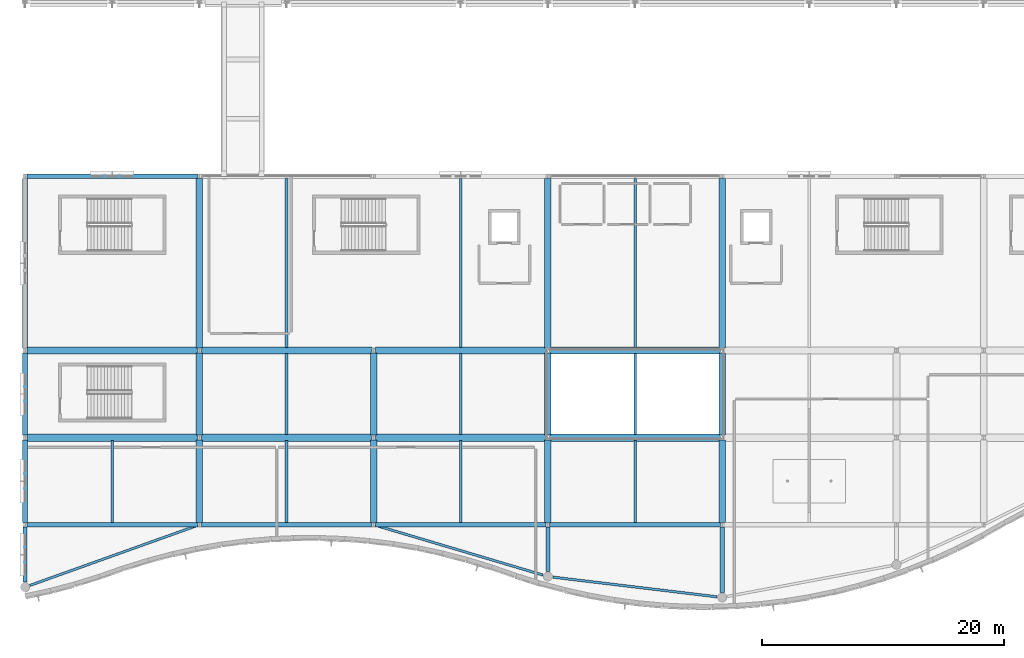
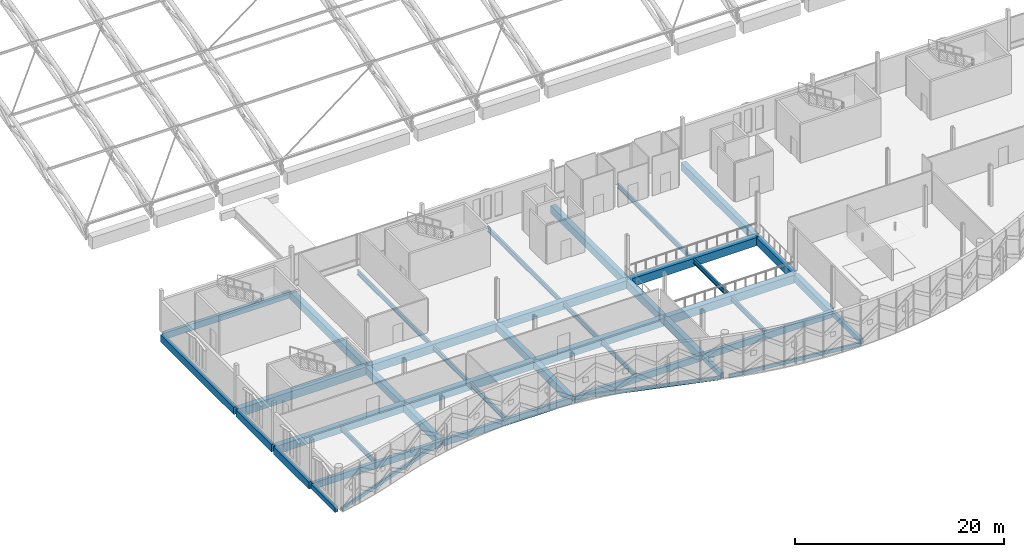
# One storey, part 22 of 193: 43 beams.
"""IFC4 building model written with IfcOpenShell, lengths in metres."""

import ifcopenshell
import ifcopenshell.guid

model = None  # the IFC model being written
_history = None  # IfcOwnerHistory: only IFC2X3 demands one
_inside = {}  # id of a spatial element -> (the spatial element, [elements in it])
_under = {}  # id of a project, library or spatial element -> (it, [spatial elements below it])
_declared = {}  # id of a project -> (the project, [libraries it declares])
_typed = {}  # id of a type object -> (the type object, [elements of that type])
_made_of = {}  # id of a material, layer set ... -> (it, [elements and type objects made of it])


def new_model(schema):
    """Start an empty IFC model of exactly this schema.

    Asked for "IFC4X3", IfcOpenShell would pick the latest addendum, in which some entities
    have other attributes; the version numbers below select the first issue.
    IFC2X3 requires an IfcOwnerHistory on every rooted entity: one is made here for all.
    """
    global model, _history
    if schema == "IFC4X3":
        model = ifcopenshell.file(schema_version=(4, 3, 0, 0))
    else:
        model = ifcopenshell.file(schema=schema)
    _inside.clear()
    _under.clear()
    _declared.clear()
    _typed.clear()
    _made_of.clear()
    _history = None
    if model.schema == "IFC2X3":
        org = make("IfcOrganization", Name="unknown")
        user = make(
            "IfcPersonAndOrganization",
            ThePerson=make("IfcPerson", FamilyName="unknown"),
            TheOrganization=org,
        )
        app = make(
            "IfcApplication",
            ApplicationDeveloper=org,
            Version="unknown",
            ApplicationFullName="unknown",
            ApplicationIdentifier="unknown",
        )
        _history = make(
            "IfcOwnerHistory",
            OwningUser=user,
            OwningApplication=app,
            ChangeAction="ADDED",
            CreationDate=0,
        )
    return model


def make(cls, **values):
    """One entity of the class cls with the attributes given. An attribute that is None is left unset."""
    return model.create_entity(
        cls, **{name: value for name, value in values.items() if value is not None}
    )


def rooted(cls, **values):
    """An entity with a GlobalId (a new one), such as an element, a storey or a relation."""
    return make(cls, GlobalId=ifcopenshell.guid.new(), OwnerHistory=_history, **values)


def si_unit(unit_type, name, prefix=None):
    """IfcSIUnit, for example si_unit("LENGTHUNIT", "METRE", prefix="MILLI")."""
    return make("IfcSIUnit", UnitType=unit_type, Prefix=prefix, Name=name)


def assignment(units):
    """IfcUnitAssignment: the units of a project."""
    return None if units is None else make("IfcUnitAssignment", Units=units)


def point(xyz):
    """IfcCartesianPoint."""
    return None if xyz is None else make("IfcCartesianPoint", Coordinates=xyz)


def direction(xyz):
    """IfcDirection."""
    return None if xyz is None else make("IfcDirection", DirectionRatios=xyz)


def frame(location, z_axis=None, x_axis=None):
    """IfcAxis2Placement3D, a coordinate frame: its origin and axes. An axis left out is left unset."""
    return make(
        "IfcAxis2Placement3D",
        Location=point(location),
        Axis=direction(z_axis),
        RefDirection=direction(x_axis),
    )


def frame_2d(location, x_axis=None):
    """IfcAxis2Placement2D, a coordinate frame in the plane: its origin and x axis."""
    return make(
        "IfcAxis2Placement2D", Location=point(location), RefDirection=direction(x_axis)
    )


def origin():
    """The frame at (0, 0, 0) with its axes left unset."""
    return frame((0.0, 0.0, 0.0))


def origin_2d():
    """The frame at (0, 0) in the plane with its x axis left unset."""
    return frame_2d((0.0, 0.0))


def place(relative_to, where):
    """IfcLocalPlacement: puts the frame where relative to a parent placement (None: the world)."""
    return make(
        "IfcLocalPlacement", PlacementRelTo=relative_to, RelativePlacement=where
    )


def context(
    kind, dimensions, precision=None, world=None, true_north=None, identifier=None
):
    """IfcGeometricRepresentationContext, for example the 3D "Model" context."""
    return make(
        "IfcGeometricRepresentationContext",
        ContextIdentifier=identifier,
        ContextType=kind,
        CoordinateSpaceDimension=dimensions,
        Precision=precision,
        WorldCoordinateSystem=world,
        TrueNorth=true_north,
    )


def subcontext(parent, identifier, kind, view, scale=None):
    """IfcGeometricRepresentationSubContext, for example "Body" below "Model"."""
    return make(
        "IfcGeometricRepresentationSubContext",
        ContextIdentifier=identifier,
        ContextType=kind,
        ParentContext=parent,
        TargetScale=scale,
        TargetView=view,
    )


def project(units=None, contexts=None):
    """IfcProject with its units and contexts."""
    return rooted(
        "IfcProject",
        Name="project",
        RepresentationContexts=contexts,
        UnitsInContext=assignment(units),
    )


def spatial(cls, under=None, at=None, **own):
    """A site, building, storey or space (cls), placed at a placement, below another one or the project."""
    s = rooted(cls, ObjectPlacement=at, **own)
    if under is not None:
        _under.setdefault(under.id(), (under, []))[1].append(s)
    return s


def profile(cls, at=None, kind="AREA", **sizes):
    """A parametric profile (cls). Its sizes go by their IFC names, for example OverallWidth=200.0."""
    return make(cls, ProfileType=kind, Position=at, **sizes)


def rectangle(**sizes):
    """IfcRectangleProfileDef."""
    return profile("IfcRectangleProfileDef", **sizes)


def hollow_rectangle(**sizes):
    """IfcRectangleHollowProfileDef."""
    return profile("IfcRectangleHollowProfileDef", **sizes)


def i_section(**sizes):
    """IfcIShapeProfileDef."""
    return profile("IfcIShapeProfileDef", **sizes)


def extrude(swept, where, along, depth):
    """IfcExtrudedAreaSolid: the profile swept, set in the frame where, extruded along a direction by depth."""
    return make(
        "IfcExtrudedAreaSolid",
        SweptArea=swept,
        Position=where,
        ExtrudedDirection=direction(along),
        Depth=depth,
    )


def shape(context_of_items, identifier, shape_type, items):
    """IfcShapeRepresentation: the items that make up one representation, for example the "Body"."""
    return make(
        "IfcShapeRepresentation",
        ContextOfItems=context_of_items,
        RepresentationIdentifier=identifier,
        RepresentationType=shape_type,
        Items=items,
    )


def material(Name=None, Category=None):
    """IfcMaterial."""
    return make("IfcMaterial", Name=Name, Category=Category)


def material_profile(
    of_material, cross_section, Name=None, Category=None, Priority=None
):
    """IfcMaterialProfile: a cross section and its material."""
    return make(
        "IfcMaterialProfile",
        Name=Name,
        Material=of_material,
        Profile=cross_section,
        Priority=Priority,
        Category=Category,
    )


def profile_set(profiles, Name=None, composite=None):
    """IfcMaterialProfileSet."""
    return make(
        "IfcMaterialProfileSet",
        Name=Name,
        MaterialProfiles=profiles,
        CompositeProfile=composite,
    )


def made_of(thing, what):
    """Note that an element or type object is made of a material, layer set ...; save() writes the relation."""
    if what is not None:
        _made_of.setdefault(what.id(), (what, []))[1].append(thing)
    return thing


def type_object(cls, material=None, **own):
    """A type object (cls), such as IfcWallType, which elements share."""
    return made_of(rooted(cls, **own), material)


def element(
    cls,
    number,
    at=None,
    inside=None,
    cuts=None,
    type_object=None,
    material=None,
    context=None,
    identifier="Body",
    shape_type=None,
    held_by="IfcProductDefinitionShape",
    body=None,
    shapes=None,
    **own,
):
    """One element of the class cls, such as IfcWall. Its Tag is "e" and its number.

    at: its placement. inside: the storey or other place that contains it. cuts: it is an
    opening in that element (IfcRelVoidsElement). A single representation is given by context,
    identifier, shape_type and body (its items); several are given by shapes. held_by: the class
    of the entity that holds the representations. save() writes the other relations.
    """
    e = rooted(cls, Tag="e%d" % number, ObjectPlacement=at, **own)
    if body is not None:
        shapes = [shape(context, identifier, shape_type, body)]
    if shapes is not None:
        e.Representation = make(held_by, Representations=shapes)
    if inside is not None:
        _inside.setdefault(inside.id(), (inside, []))[1].append(e)
    if cuts is not None:
        rooted(
            "IfcRelVoidsElement", RelatingBuildingElement=cuts, RelatedOpeningElement=e
        )
    if type_object is not None:
        _typed.setdefault(type_object.id(), (type_object, []))[1].append(e)
    return made_of(e, material)


def aggregate(whole, parts):
    """IfcRelAggregates: a whole, such as a stair, and the parts it consists of."""
    return rooted("IfcRelAggregates", RelatingObject=whole, RelatedObjects=parts)


def save(model, path):
    """Write the relations noted so far, then the file.

    IfcRelAggregates (storeys below a building ...), IfcRelContainedInSpatialStructure (elements
    in a storey), IfcRelDefinesByType, IfcRelAssociatesMaterial and IfcRelDeclares: one each for
    every whole, place, type object, material and project.
    """
    for whole, parts in _under.values():
        aggregate(whole, parts)
    for where, things in _inside.values():
        rooted(
            "IfcRelContainedInSpatialStructure",
            RelatedElements=things,
            RelatingStructure=where,
        )
    for kind, things in _typed.values():
        rooted("IfcRelDefinesByType", RelatedObjects=things, RelatingType=kind)
    for what, things in _made_of.values():
        rooted("IfcRelAssociatesMaterial", RelatedObjects=things, RelatingMaterial=what)
    for by, libraries in _declared.values():
        rooted("IfcRelDeclares", RelatingContext=by, RelatedDefinitions=libraries)
    model.write(path)


model = new_model("IFC4")

# Units and contexts
model_context = context("Model", 3, precision=1e-05, world=origin(), true_north=direction((0.0, 1.0)))
body_context = subcontext(model_context, "Body", "Model", "MODEL_VIEW")
ifc_project = project(units=[si_unit("LENGTHUNIT", "METRE"), si_unit("AREAUNIT", "SQUARE_METRE"), si_unit("VOLUMEUNIT", "CUBIC_METRE"), si_unit("PLANEANGLEUNIT", "RADIAN"), si_unit("MASSUNIT", "GRAM", prefix="KILO")], contexts=[model_context])

# Site, building, storey
site_placement = place(None, origin())
site = spatial("IfcSite", under=ifc_project, at=site_placement, CompositionType="ELEMENT")
building_placement = place(site_placement, origin())
building = spatial("IfcBuilding", under=site, at=building_placement, Name="Cendralis Lancet Convention Centre", CompositionType="ELEMENT")
storey_placement = place(building_placement, frame((0.0, 0.0, 10.199951171875)))
storey = spatial("IfcBuildingStorey", under=building, at=storey_placement, Name="L02", CompositionType="ELEMENT", Elevation=10.199951171875)

# Beams
ifc_material_1 = material(Name="Concrete G40 (C40/50)", Category="concrete")
ifc_material_profile_1 = material_profile(ifc_material_1, rectangle(XDim=0.60009765625, YDim=0.949951171875, at=origin_2d()), Name="RCB 600x950")
ifc_profile_set_1 = profile_set([ifc_material_profile_1], Name="Concrete G40 (C40/50)")
beam_type_1 = type_object("IfcBeamType", Name="STR-BM-BG04", PredefinedType="BEAM", material=ifc_profile_set_1)
beam_1_placement = place(storey_placement, frame((0.14990234375, 14.39990234375, -0.77490234375), z_axis=(1.0, 0.0, 0.0), x_axis=(0.0, 1.0, 0.0)))
element("IfcBeam", 1, at=beam_1_placement, inside=storey, type_object=beam_type_1, Name="L02 Beam BG04 #0822", PredefinedType="BEAM", context=body_context, shape_type="SweptSolid", body=[
    extrude(rectangle(XDim=0.60009765625, YDim=0.949951171875, at=origin_2d()), origin(), (0.0, 0.0, 1.0), 14.10009765625),
])
beam_2_placement = place(storey_placement, frame((14.550048828125, 14.39990234375, -0.77490234375), z_axis=(1.0, 0.0, 0.0), x_axis=(0.0, 1.0, 0.0)))
element("IfcBeam", 2, at=beam_2_placement, inside=storey, type_object=beam_type_1, Name="L02 Beam BG04 #0823", PredefinedType="BEAM", context=body_context, shape_type="SweptSolid", body=[
    extrude(rectangle(XDim=0.60009765625, YDim=0.949951171875, at=origin_2d()), origin(), (0.0, 0.0, 1.0), 14.099853515625),
])
beam_3_placement = place(storey_placement, frame((28.949951171875, 14.39990234375, -0.77490234375), z_axis=(1.0, 0.0, 0.0), x_axis=(0.0, 1.0, 0.0)))
element("IfcBeam", 3, at=beam_3_placement, inside=storey, type_object=beam_type_1, Name="L02 Beam BG04 #0824", PredefinedType="BEAM", context=body_context, shape_type="SweptSolid", body=[
    extrude(rectangle(XDim=0.60009765625, YDim=0.949951171875, at=origin_2d()), origin(), (0.0, 0.0, 1.0), 14.10009765625),
])
beam_4_placement = place(storey_placement, frame((43.35009765625, 14.39990234375, -0.77490234375), z_axis=(1.0, 0.0, 0.0), x_axis=(0.0, 1.0, 0.0)))
element("IfcBeam", 4, at=beam_4_placement, inside=storey, type_object=beam_type_1, Name="L02 Beam BG04 #0825", PredefinedType="BEAM", context=body_context, shape_type="SweptSolid", body=[
    extrude(rectangle(XDim=0.60009765625, YDim=0.949951171875, at=origin_2d()), origin(), (0.0, 0.0, 1.0), 14.099853515625),
])
beam_5_placement = place(storey_placement, frame((0.14990234375, 21.60009765625, -0.77490234375), z_axis=(1.0, 0.0, 0.0), x_axis=(0.0, 1.0, 0.0)))
element("IfcBeam", 5, at=beam_5_placement, inside=storey, type_object=beam_type_1, Name="L02 Beam BG04 #0832", PredefinedType="BEAM", context=body_context, shape_type="SweptSolid", body=[
    extrude(rectangle(XDim=0.60009765625, YDim=0.949951171875, at=origin_2d()), origin(), (0.0, 0.0, 1.0), 14.10009765625),
])
beam_6_placement = place(storey_placement, frame((14.550048828125, 21.60009765625, -0.77490234375), z_axis=(1.0, 0.0, 0.0), x_axis=(0.0, 1.0, 0.0)))
element("IfcBeam", 6, at=beam_6_placement, inside=storey, type_object=beam_type_1, Name="L02 Beam BG04 #0833", PredefinedType="BEAM", context=body_context, shape_type="SweptSolid", body=[
    extrude(rectangle(XDim=0.60009765625, YDim=0.949951171875, at=origin_2d()), origin(), (0.0, 0.0, 1.0), 14.099853515625),
])
beam_7_placement = place(storey_placement, frame((28.949951171875, 21.60009765625, -0.77490234375), z_axis=(1.0, 0.0, 0.0), x_axis=(0.0, 1.0, 0.0)))
element("IfcBeam", 7, at=beam_7_placement, inside=storey, type_object=beam_type_1, Name="L02 Beam BG04 #0834", PredefinedType="BEAM", context=body_context, shape_type="SweptSolid", body=[
    extrude(rectangle(XDim=0.60009765625, YDim=0.949951171875, at=origin_2d()), origin(), (0.0, 0.0, 1.0), 14.10009765625),
])
beam_8_placement = place(storey_placement, frame((43.35009765625, 21.60009765625, -0.77490234375), z_axis=(1.0, 0.0, 0.0), x_axis=(0.0, 1.0, 0.0)))
element("IfcBeam", 8, at=beam_8_placement, inside=storey, type_object=beam_type_1, Name="L02 Beam BG04 #0835", PredefinedType="BEAM", context=body_context, shape_type="SweptSolid", body=[
    extrude(rectangle(XDim=0.60009765625, YDim=0.949951171875, at=origin_2d()), origin(), (0.0, 0.0, 1.0), 14.099853515625),
])
ifc_material_profile_2 = material_profile(ifc_material_1, rectangle(XDim=0.550048828125, YDim=0.89990234375, at=origin_2d()), Name="RCB 550x900")
ifc_profile_set_2 = profile_set([ifc_material_profile_2], Name="Concrete G40 (C40/50)")
beam_type_2 = type_object("IfcBeamType", Name="STR-BM-BG06", PredefinedType="BEAM", material=ifc_profile_set_2)
beam_9_placement = place(storey_placement, frame((14.39990234375, 7.39990234375, -0.75), z_axis=(0.0, 1.0, 0.0), x_axis=(-1.0, 0.0, 0.0)))
element("IfcBeam", 9, at=beam_9_placement, inside=storey, type_object=beam_type_2, Name="L02 Beam BG06 #0855", PredefinedType="BEAM", context=body_context, shape_type="SweptSolid", body=[
    extrude(rectangle(XDim=0.550048828125, YDim=0.89990234375, at=origin_2d()), origin(), (0.0, 0.0, 1.0), 6.800048828125),
])
beam_10_placement = place(storey_placement, frame((14.39990234375, 14.60009765625, -0.75), z_axis=(0.0, 1.0, 0.0), x_axis=(-1.0, 0.0, 0.0)))
element("IfcBeam", 10, at=beam_10_placement, inside=storey, type_object=beam_type_2, Name="L02 Beam BG06 #0856", PredefinedType="BEAM", context=body_context, shape_type="SweptSolid", body=[
    extrude(rectangle(XDim=0.550048828125, YDim=0.89990234375, at=origin_2d()), origin(), (0.0, 0.0, 1.0), 6.7998046875),
])
beam_11_placement = place(storey_placement, frame((14.39990234375, 21.800048828125, -0.75), z_axis=(0.0, 1.0, 0.0), x_axis=(-1.0, 0.0, 0.0)))
element("IfcBeam", 11, at=beam_11_placement, inside=storey, type_object=beam_type_2, Name="L02 Beam BG06 #0857", PredefinedType="BEAM", context=body_context, shape_type="SweptSolid", body=[
    extrude(rectangle(XDim=0.550048828125, YDim=0.89990234375, at=origin_2d()), origin(), (0.0, 0.0, 1.0), 14.0),
])
beam_12_placement = place(storey_placement, frame((28.800048828125, 7.39990234375, -0.75), z_axis=(0.0, 1.0, 0.0), x_axis=(-1.0, 0.0, 0.0)))
element("IfcBeam", 12, at=beam_12_placement, inside=storey, type_object=beam_type_2, Name="L02 Beam BG06 #0858", PredefinedType="BEAM", context=body_context, shape_type="SweptSolid", body=[
    extrude(rectangle(XDim=0.550048828125, YDim=0.89990234375, at=origin_2d()), origin(), (0.0, 0.0, 1.0), 6.800048828125),
])
beam_13_placement = place(storey_placement, frame((28.800048828125, 14.60009765625, -0.75), z_axis=(0.0, 1.0, 0.0), x_axis=(-1.0, 0.0, 0.0)))
element("IfcBeam", 13, at=beam_13_placement, inside=storey, type_object=beam_type_2, Name="L02 Beam BG06 #0859", PredefinedType="BEAM", context=body_context, shape_type="SweptSolid", body=[
    extrude(rectangle(XDim=0.550048828125, YDim=0.89990234375, at=origin_2d()), origin(), (0.0, 0.0, 1.0), 6.7998046875),
])
beam_14_placement = place(storey_placement, frame((43.199951171875, 7.39990234375, -0.75), z_axis=(0.0, 1.0, 0.0), x_axis=(-1.0, 0.0, 0.0)))
element("IfcBeam", 14, at=beam_14_placement, inside=storey, type_object=beam_type_2, Name="L02 Beam BG06 #0860", PredefinedType="BEAM", context=body_context, shape_type="SweptSolid", body=[
    extrude(rectangle(XDim=0.550048828125, YDim=0.89990234375, at=origin_2d()), origin(), (0.0, 0.0, 1.0), 6.800048828125),
])
beam_15_placement = place(storey_placement, frame((43.199951171875, 14.60009765625, -0.75), z_axis=(0.0, 1.0, 0.0), x_axis=(-1.0, 0.0, 0.0)))
element("IfcBeam", 15, at=beam_15_placement, inside=storey, type_object=beam_type_2, Name="L02 Beam BG06 #0861", PredefinedType="BEAM", context=body_context, shape_type="SweptSolid", body=[
    extrude(rectangle(XDim=0.550048828125, YDim=0.89990234375, at=origin_2d()), origin(), (0.0, 0.0, 1.0), 6.7998046875),
])
beam_16_placement = place(storey_placement, frame((43.199951171875, 21.800048828125, -0.75), z_axis=(0.0, 1.0, 0.0), x_axis=(-1.0, 0.0, 0.0)))
element("IfcBeam", 16, at=beam_16_placement, inside=storey, type_object=beam_type_2, Name="L02 Beam BG06 #0862", PredefinedType="BEAM", context=body_context, shape_type="SweptSolid", body=[
    extrude(rectangle(XDim=0.550048828125, YDim=0.89990234375, at=origin_2d()), origin(), (0.0, 0.0, 1.0), 14.0),
])
beam_17_placement = place(storey_placement, frame((57.60009765625, 7.39990234375, -0.75), z_axis=(0.0, 1.0, 0.0), x_axis=(-1.0, 0.0, 0.0)))
element("IfcBeam", 17, at=beam_17_placement, inside=storey, type_object=beam_type_2, Name="L02 Beam BG06 #0863", PredefinedType="BEAM", context=body_context, shape_type="SweptSolid", body=[
    extrude(rectangle(XDim=0.550048828125, YDim=0.89990234375, at=origin_2d()), origin(), (0.0, 0.0, 1.0), 6.800048828125),
])
beam_18_placement = place(storey_placement, frame((57.60009765625, 14.60009765625, -0.75), z_axis=(0.0, 1.0, 0.0), x_axis=(-1.0, 0.0, 0.0)))
element("IfcBeam", 18, at=beam_18_placement, inside=storey, type_object=beam_type_2, Name="L02 Beam BG06 #0864", PredefinedType="BEAM", context=body_context, shape_type="SweptSolid", body=[
    extrude(rectangle(XDim=0.550048828125, YDim=0.89990234375, at=origin_2d()), origin(), (0.0, 0.0, 1.0), 6.7998046875),
])
beam_19_placement = place(storey_placement, frame((57.60009765625, 21.800048828125, -0.75), z_axis=(0.0, 1.0, 0.0), x_axis=(-1.0, 0.0, 0.0)))
element("IfcBeam", 19, at=beam_19_placement, inside=storey, type_object=beam_type_2, Name="L02 Beam BG06 #0865", PredefinedType="BEAM", context=body_context, shape_type="SweptSolid", body=[
    extrude(rectangle(XDim=0.550048828125, YDim=0.89990234375, at=origin_2d()), origin(), (0.0, 0.0, 1.0), 14.0),
])
ifc_material_2 = material(Name="Concrete G35 (C35/45)", Category="concrete")
ifc_material_profile_3 = material_profile(ifc_material_2, rectangle(XDim=0.35009765625, YDim=0.60009765625, at=origin_2d()), Name="RCB 350x600")
ifc_profile_set_3 = profile_set([ifc_material_profile_3], Name="Concrete G35 (C35/45)")
beam_type_3 = type_object("IfcBeamType", Name="STR-BM-BG16", PredefinedType="BEAM", material=ifc_profile_set_3)
beam_20_placement = place(storey_placement, frame((0.0, 2.470458984375, -0.599853515625), z_axis=(0.0, 1.0, 0.0), x_axis=(-1.0, 0.0, 0.0)))
element("IfcBeam", 20, at=beam_20_placement, inside=storey, type_object=beam_type_3, Name="L02 Beam BG16 #1074", PredefinedType="BEAM", context=body_context, shape_type="SweptSolid", body=[
    extrude(rectangle(XDim=0.35009765625, YDim=0.60009765625, at=origin_2d()), origin(), (0.0, 0.0, 1.0), 4.529541015625),
])
beam_21_placement = place(storey_placement, frame((43.199951171875, 3.3466796875, -0.599853515625), z_axis=(0.0, 1.0, 0.0), x_axis=(-1.0, 0.0, 0.0)))
element("IfcBeam", 21, at=beam_21_placement, inside=storey, type_object=beam_type_3, Name="L02 Beam BG16 #1075", PredefinedType="BEAM", context=body_context, shape_type="SweptSolid", body=[
    extrude(rectangle(XDim=0.35009765625, YDim=0.60009765625, at=origin_2d()), origin(), (0.0, 0.0, 1.0), 3.6533203125),
])
beam_22_placement = place(storey_placement, frame((57.60009765625, 1.6201171875, -0.599853515625), z_axis=(0.0, 1.0, 0.0), x_axis=(-1.0, 0.0, 0.0)))
element("IfcBeam", 22, at=beam_22_placement, inside=storey, type_object=beam_type_3, Name="L02 Beam BG16 #1076", PredefinedType="BEAM", context=body_context, shape_type="SweptSolid", body=[
    extrude(rectangle(XDim=0.35009765625, YDim=0.60009765625, at=origin_2d()), origin(), (0.0, 0.0, 1.0), 5.3798828125),
])
ifc_material_3 = material(Name="Steel S355", Category="steel")
ifc_material_profile_4 = material_profile(ifc_material_3, i_section(OverallWidth=0.2099609375, OverallDepth=0.550048828125, WebThickness=0.010986328125, FlangeThickness=0.01708984375, FilletRadius=0.02392578125, at=origin_2d()), Name="IPE 550")
ifc_profile_set_4 = profile_set([ifc_material_profile_4], Name="Steel S355")
beam_type_4 = type_object("IfcBeamType", Name="STR-JS-BJ05", PredefinedType="JOIST", material=ifc_profile_set_4)
for number, where, z_axis, x_axis, name in (
    (23, (7.199951171875, 7.375, -0.574951171875), (0.0, 1.0, 0.0), (-1.0, 0.0, 0.0), "L02 Beam BJ05 #0879"),
    (24, (21.60009765625, 7.375, -0.574951171875), (0.0, 1.0, 0.0), (-1.0, 0.0, 0.0), "L02 Beam BJ05 #0880"),
):
    element("IfcBeam", number, at=place(storey_placement, frame(where, z_axis=z_axis, x_axis=x_axis)), inside=storey, type_object=beam_type_4, Name=name, PredefinedType="JOIST", context=body_context, shape_type="SweptSolid", body=[
        extrude(i_section(OverallWidth=0.2099609375, OverallDepth=0.550048828125, WebThickness=0.010986328125, FlangeThickness=0.01708984375, FilletRadius=0.02392578125, at=origin_2d()), origin(), (0.0, 0.0, 1.0), 6.77490234375),
    ])
beam_23_placement = place(storey_placement, frame((21.60009765625, 14.64990234375, -0.574951171875), z_axis=(0.0, 1.0, 0.0), x_axis=(-1.0, 0.0, 0.0)))
element("IfcBeam", 25, at=beam_23_placement, inside=storey, type_object=beam_type_4, Name="L02 Beam BJ05 #0881", PredefinedType="JOIST", context=body_context, shape_type="SweptSolid", body=[
    extrude(i_section(OverallWidth=0.2099609375, OverallDepth=0.550048828125, WebThickness=0.010986328125, FlangeThickness=0.01708984375, FilletRadius=0.02392578125, at=origin_2d()), origin(), (0.0, 0.0, 1.0), 6.7001953125),
])
beam_24_placement = place(storey_placement, frame((21.60009765625, 21.85009765625, -0.574951171875), z_axis=(0.0, 1.0, 0.0), x_axis=(-1.0, 0.0, 0.0)))
element("IfcBeam", 26, at=beam_24_placement, inside=storey, type_object=beam_type_4, Name="L02 Beam BJ05 #0882", PredefinedType="JOIST", context=body_context, shape_type="SweptSolid", body=[
    extrude(i_section(OverallWidth=0.2099609375, OverallDepth=0.550048828125, WebThickness=0.010986328125, FlangeThickness=0.01708984375, FilletRadius=0.02392578125, at=origin_2d()), origin(), (0.0, 0.0, 1.0), 13.974853515625),
])
beam_25_placement = place(storey_placement, frame((36.0, 7.375, -0.574951171875), z_axis=(0.0, 1.0, 0.0), x_axis=(-1.0, 0.0, 0.0)))
element("IfcBeam", 27, at=beam_25_placement, inside=storey, type_object=beam_type_4, Name="L02 Beam BJ05 #0883", PredefinedType="JOIST", context=body_context, shape_type="SweptSolid", body=[
    extrude(i_section(OverallWidth=0.2099609375, OverallDepth=0.550048828125, WebThickness=0.010986328125, FlangeThickness=0.01708984375, FilletRadius=0.02392578125, at=origin_2d()), origin(), (0.0, 0.0, 1.0), 6.77490234375),
])
beam_26_placement = place(storey_placement, frame((36.0, 14.64990234375, -0.574951171875), z_axis=(0.0, 1.0, 0.0), x_axis=(-1.0, 0.0, 0.0)))
element("IfcBeam", 28, at=beam_26_placement, inside=storey, type_object=beam_type_4, Name="L02 Beam BJ05 #0884", PredefinedType="JOIST", context=body_context, shape_type="SweptSolid", body=[
    extrude(i_section(OverallWidth=0.2099609375, OverallDepth=0.550048828125, WebThickness=0.010986328125, FlangeThickness=0.01708984375, FilletRadius=0.02392578125, at=origin_2d()), origin(), (0.0, 0.0, 1.0), 6.7001953125),
])
beam_27_placement = place(storey_placement, frame((36.0, 21.85009765625, -0.574951171875), z_axis=(0.0, 1.0, 0.0), x_axis=(-1.0, 0.0, 0.0)))
element("IfcBeam", 29, at=beam_27_placement, inside=storey, type_object=beam_type_4, Name="L02 Beam BJ05 #0885", PredefinedType="JOIST", context=body_context, shape_type="SweptSolid", body=[
    extrude(i_section(OverallWidth=0.2099609375, OverallDepth=0.550048828125, WebThickness=0.010986328125, FlangeThickness=0.01708984375, FilletRadius=0.02392578125, at=origin_2d()), origin(), (0.0, 0.0, 1.0), 13.974853515625),
])
beam_28_placement = place(storey_placement, frame((50.39990234375, 7.375, -0.574951171875), z_axis=(0.0, 1.0, 0.0), x_axis=(-1.0, 0.0, 0.0)))
element("IfcBeam", 30, at=beam_28_placement, inside=storey, type_object=beam_type_4, Name="L02 Beam BJ05 #0886", PredefinedType="JOIST", context=body_context, shape_type="SweptSolid", body=[
    extrude(i_section(OverallWidth=0.2099609375, OverallDepth=0.550048828125, WebThickness=0.010986328125, FlangeThickness=0.01708984375, FilletRadius=0.02392578125, at=origin_2d()), origin(), (0.0, 0.0, 1.0), 6.77490234375),
])
beam_29_placement = place(storey_placement, frame((50.39990234375, 14.64990234375, -0.574951171875), z_axis=(0.0, 1.0, 0.0), x_axis=(-1.0, 0.0, 0.0)))
element("IfcBeam", 31, at=beam_29_placement, inside=storey, type_object=beam_type_4, Name="L02 Beam BJ05 #0887", PredefinedType="JOIST", context=body_context, shape_type="SweptSolid", body=[
    extrude(i_section(OverallWidth=0.2099609375, OverallDepth=0.550048828125, WebThickness=0.010986328125, FlangeThickness=0.01708984375, FilletRadius=0.02392578125, at=origin_2d()), origin(), (0.0, 0.0, 1.0), 6.7001953125),
])
beam_30_placement = place(storey_placement, frame((50.39990234375, 21.85009765625, -0.574951171875), z_axis=(0.0, 1.0, 0.0), x_axis=(-1.0, 0.0, 0.0)))
element("IfcBeam", 32, at=beam_30_placement, inside=storey, type_object=beam_type_4, Name="L02 Beam BJ05 #0888", PredefinedType="JOIST", context=body_context, shape_type="SweptSolid", body=[
    extrude(i_section(OverallWidth=0.2099609375, OverallDepth=0.550048828125, WebThickness=0.010986328125, FlangeThickness=0.01708984375, FilletRadius=0.02392578125, at=origin_2d()), origin(), (0.0, 0.0, 1.0), 13.974853515625),
])
ifc_material_profile_5 = material_profile(ifc_material_1, rectangle(XDim=0.35009765625, YDim=0.75, at=origin_2d()), Name="RCB 350x750")
ifc_profile_set_5 = profile_set([ifc_material_profile_5], Name="Concrete G40 (C40/50)")
beam_type_5 = type_object("IfcBeamType", Name="STR-SP-SP01", PredefinedType="SPANDREL", material=ifc_profile_set_5)
beam_31_placement = place(storey_placement, frame((0.14990234375, 7.199951171875, -0.675048828125), z_axis=(1.0, 0.0, 0.0), x_axis=(0.0, 1.0, 0.0)))
element("IfcBeam", 33, at=beam_31_placement, inside=storey, type_object=beam_type_5, Name="L02 Beam SP01 #0816", PredefinedType="SPANDREL", context=body_context, shape_type="SweptSolid", body=[
    extrude(rectangle(XDim=0.35009765625, YDim=0.75, at=origin_2d()), origin(), (0.0, 0.0, 1.0), 14.10009765625),
])
beam_32_placement = place(storey_placement, frame((14.550048828125, 7.199951171875, -0.675048828125), z_axis=(1.0, 0.0, 0.0), x_axis=(0.0, 1.0, 0.0)))
element("IfcBeam", 34, at=beam_32_placement, inside=storey, type_object=beam_type_5, Name="L02 Beam SP01 #0817", PredefinedType="SPANDREL", context=body_context, shape_type="SweptSolid", body=[
    extrude(rectangle(XDim=0.35009765625, YDim=0.75, at=origin_2d()), origin(), (0.0, 0.0, 1.0), 14.099853515625),
])
beam_33_placement = place(storey_placement, frame((28.949951171875, 7.199951171875, -0.675048828125), z_axis=(1.0, 0.0, 0.0), x_axis=(0.0, 1.0, 0.0)))
element("IfcBeam", 35, at=beam_33_placement, inside=storey, type_object=beam_type_5, Name="L02 Beam SP01 #0818", PredefinedType="SPANDREL", context=body_context, shape_type="SweptSolid", body=[
    extrude(rectangle(XDim=0.35009765625, YDim=0.75, at=origin_2d()), origin(), (0.0, 0.0, 1.0), 14.10009765625),
])
beam_34_placement = place(storey_placement, frame((43.35009765625, 7.199951171875, -0.675048828125), z_axis=(1.0, 0.0, 0.0), x_axis=(0.0, 1.0, 0.0)))
element("IfcBeam", 36, at=beam_34_placement, inside=storey, type_object=beam_type_5, Name="L02 Beam SP01 #0819", PredefinedType="SPANDREL", context=body_context, shape_type="SweptSolid", body=[
    extrude(rectangle(XDim=0.35009765625, YDim=0.75, at=origin_2d()), origin(), (0.0, 0.0, 1.0), 14.099853515625),
])
beam_35_placement = place(storey_placement, frame((0.14990234375, 36.0, -0.675048828125), z_axis=(1.0, 0.0, 0.0), x_axis=(0.0, 1.0, 0.0)))
element("IfcBeam", 37, at=beam_35_placement, inside=storey, type_object=beam_type_5, Name="L02 Beam SP01 #0842", PredefinedType="SPANDREL", context=body_context, shape_type="SweptSolid", body=[
    extrude(rectangle(XDim=0.35009765625, YDim=0.75, at=origin_2d()), origin(), (0.0, 0.0, 1.0), 14.10009765625),
])
ifc_material_profile_6 = material_profile(ifc_material_1, rectangle(XDim=0.39990234375, YDim=0.85009765625, at=origin_2d()), Name="RCB 400x850")
ifc_profile_set_6 = profile_set([ifc_material_profile_6], Name="Concrete G40 (C40/50)")
beam_type_6 = type_object("IfcBeamType", Name="STR-SP-SP02", PredefinedType="SPANDREL", material=ifc_profile_set_6)
beam_36_placement = place(storey_placement, frame((0.0, 7.39990234375, -0.724853515625), z_axis=(0.0, 1.0, 0.0), x_axis=(-1.0, 0.0, 0.0)))
element("IfcBeam", 38, at=beam_36_placement, inside=storey, type_object=beam_type_6, Name="L02 Beam SP02 #0852", PredefinedType="SPANDREL", context=body_context, shape_type="SweptSolid", body=[
    extrude(rectangle(XDim=0.39990234375, YDim=0.85009765625, at=origin_2d()), origin(), (0.0, 0.0, 1.0), 6.800048828125),
])
beam_37_placement = place(storey_placement, frame((0.0, 14.60009765625, -0.724853515625), z_axis=(0.0, 1.0, 0.0), x_axis=(-1.0, 0.0, 0.0)))
element("IfcBeam", 39, at=beam_37_placement, inside=storey, type_object=beam_type_6, Name="L02 Beam SP02 #0853", PredefinedType="SPANDREL", context=body_context, shape_type="SweptSolid", body=[
    extrude(rectangle(XDim=0.39990234375, YDim=0.85009765625, at=origin_2d()), origin(), (0.0, 0.0, 1.0), 6.7998046875),
])
beam_38_placement = place(storey_placement, frame((0.0, 21.800048828125, -0.724853515625), z_axis=(0.0, 1.0, 0.0), x_axis=(-1.0, 0.0, 0.0)))
element("IfcBeam", 40, at=beam_38_placement, inside=storey, type_object=beam_type_6, Name="L02 Beam SP02 #0854", PredefinedType="SPANDREL", context=body_context, shape_type="SweptSolid", body=[
    extrude(rectangle(XDim=0.39990234375, YDim=0.85009765625, at=origin_2d()), origin(), (0.0, 0.0, 1.0), 14.0),
])
ifc_material_profile_7 = material_profile(ifc_material_3, hollow_rectangle(XDim=0.199951171875, YDim=0.39990234375, WallThickness=0.01416015625, at=origin_2d()), Name="RHS 400x200x14.2")
ifc_profile_set_7 = profile_set([ifc_material_profile_7], Name="Steel S355")
beam_type_7 = type_object("IfcBeamType", Name="STR-SP-SP03", PredefinedType="SPANDREL", material=ifc_profile_set_7)
beam_39_placement = place(storey_placement, frame((0.400146484375, 2.188720703125, -0.5), z_axis=(0.941501137048, 0.337009805403, 0.0), x_axis=(-0.337009805403, 0.941501137048, 0.0)))
element("IfcBeam", 41, at=beam_39_placement, inside=storey, type_object=beam_type_7, Name="L02 Beam SP03 #1086", PredefinedType="SPANDREL", context=body_context, shape_type="SweptSolid", body=[
    extrude(hollow_rectangle(XDim=0.199951171875, YDim=0.39990234375, WallThickness=0.01416015625, at=origin_2d()), origin(), (0.0, 0.0, 1.0), 14.7197265625),
])
beam_40_placement = place(storey_placement, frame((28.94384765625, 7.1572265625, -0.5), z_axis=(0.958582005448, -0.284816675831, 0.0), x_axis=(0.284816675831, 0.958582005448, 0.0)))
element("IfcBeam", 42, at=beam_40_placement, inside=storey, type_object=beam_type_7, Name="L02 Beam SP03 #1087", PredefinedType="SPANDREL", context=body_context, shape_type="SweptSolid", body=[
    extrude(hollow_rectangle(XDim=0.199951171875, YDim=0.39990234375, WallThickness=0.01416015625, at=origin_2d()), origin(), (0.0, 0.0, 1.0), 14.447021484375),
])
beam_41_placement = place(storey_placement, frame((43.6220703125, 2.87109375, -0.5), z_axis=(0.992887411354, -0.119057080321, 0.0), x_axis=(0.119057080321, 0.992887411354, 0.0)))
element("IfcBeam", 43, at=beam_41_placement, inside=storey, type_object=beam_type_7, Name="L02 Beam SP03 #1088", PredefinedType="SPANDREL", context=body_context, shape_type="SweptSolid", body=[
    extrude(hollow_rectangle(XDim=0.199951171875, YDim=0.39990234375, WallThickness=0.01416015625, at=origin_2d()), origin(), (0.0, 0.0, 1.0), 13.653076171875),
])

save(model, "model.ifc")
